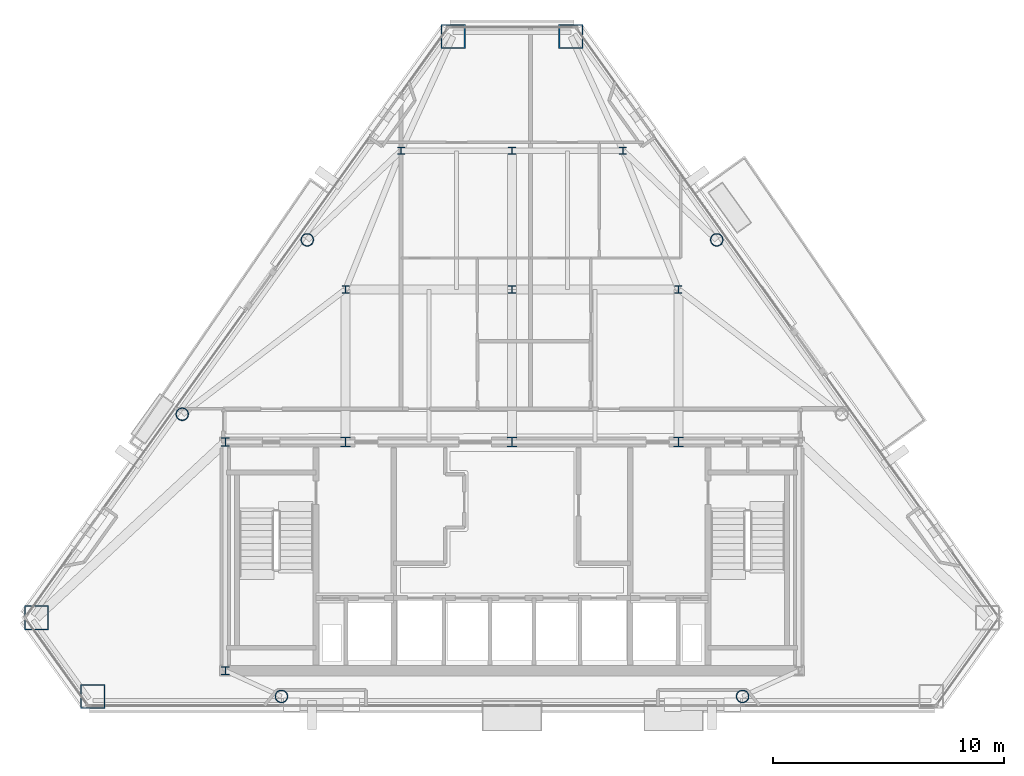
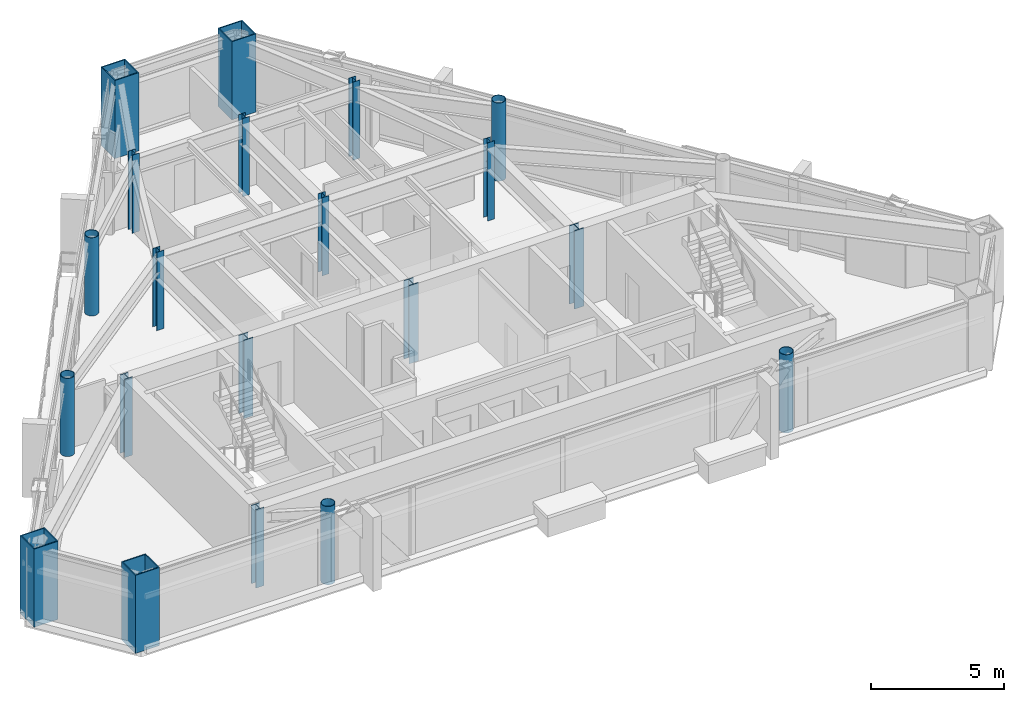
# One storey, part 1 of 11: 20 columns.
"""IFC4 building model written with IfcOpenShell, lengths in metres."""

import ifcopenshell
import ifcopenshell.guid

model = None  # the IFC model being written
_history = None  # IfcOwnerHistory: only IFC2X3 demands one
_inside = {}  # id of a spatial element -> (the spatial element, [elements in it])
_under = {}  # id of a project, library or spatial element -> (it, [spatial elements below it])
_declared = {}  # id of a project -> (the project, [libraries it declares])
_typed = {}  # id of a type object -> (the type object, [elements of that type])
_made_of = {}  # id of a material, layer set ... -> (it, [elements and type objects made of it])


def new_model(schema):
    """Start an empty IFC model of exactly this schema.

    Asked for "IFC4X3", IfcOpenShell would pick the latest addendum, in which some entities
    have other attributes; the version numbers below select the first issue.
    IFC2X3 requires an IfcOwnerHistory on every rooted entity: one is made here for all.
    """
    global model, _history
    if schema == "IFC4X3":
        model = ifcopenshell.file(schema_version=(4, 3, 0, 0))
    else:
        model = ifcopenshell.file(schema=schema)
    _inside.clear()
    _under.clear()
    _declared.clear()
    _typed.clear()
    _made_of.clear()
    _history = None
    if model.schema == "IFC2X3":
        org = make("IfcOrganization", Name="unknown")
        user = make(
            "IfcPersonAndOrganization",
            ThePerson=make("IfcPerson", FamilyName="unknown"),
            TheOrganization=org,
        )
        app = make(
            "IfcApplication",
            ApplicationDeveloper=org,
            Version="unknown",
            ApplicationFullName="unknown",
            ApplicationIdentifier="unknown",
        )
        _history = make(
            "IfcOwnerHistory",
            OwningUser=user,
            OwningApplication=app,
            ChangeAction="ADDED",
            CreationDate=0,
        )
    return model


def make(cls, **values):
    """One entity of the class cls with the attributes given. An attribute that is None is left unset."""
    return model.create_entity(
        cls, **{name: value for name, value in values.items() if value is not None}
    )


def rooted(cls, **values):
    """An entity with a GlobalId (a new one), such as an element, a storey or a relation."""
    return make(cls, GlobalId=ifcopenshell.guid.new(), OwnerHistory=_history, **values)


def si_unit(unit_type, name, prefix=None):
    """IfcSIUnit, for example si_unit("LENGTHUNIT", "METRE", prefix="MILLI")."""
    return make("IfcSIUnit", UnitType=unit_type, Prefix=prefix, Name=name)


def assignment(units):
    """IfcUnitAssignment: the units of a project."""
    return None if units is None else make("IfcUnitAssignment", Units=units)


def point(xyz):
    """IfcCartesianPoint."""
    return None if xyz is None else make("IfcCartesianPoint", Coordinates=xyz)


def direction(xyz):
    """IfcDirection."""
    return None if xyz is None else make("IfcDirection", DirectionRatios=xyz)


def frame(location, z_axis=None, x_axis=None):
    """IfcAxis2Placement3D, a coordinate frame: its origin and axes. An axis left out is left unset."""
    return make(
        "IfcAxis2Placement3D",
        Location=point(location),
        Axis=direction(z_axis),
        RefDirection=direction(x_axis),
    )


def frame_2d(location, x_axis=None):
    """IfcAxis2Placement2D, a coordinate frame in the plane: its origin and x axis."""
    return make(
        "IfcAxis2Placement2D", Location=point(location), RefDirection=direction(x_axis)
    )


def origin():
    """The frame at (0, 0, 0) with its axes left unset."""
    return frame((0.0, 0.0, 0.0))


def origin_2d():
    """The frame at (0, 0) in the plane with its x axis left unset."""
    return frame_2d((0.0, 0.0))


def place(relative_to, where):
    """IfcLocalPlacement: puts the frame where relative to a parent placement (None: the world)."""
    return make(
        "IfcLocalPlacement", PlacementRelTo=relative_to, RelativePlacement=where
    )


def context(
    kind, dimensions, precision=None, world=None, true_north=None, identifier=None
):
    """IfcGeometricRepresentationContext, for example the 3D "Model" context."""
    return make(
        "IfcGeometricRepresentationContext",
        ContextIdentifier=identifier,
        ContextType=kind,
        CoordinateSpaceDimension=dimensions,
        Precision=precision,
        WorldCoordinateSystem=world,
        TrueNorth=true_north,
    )


def subcontext(parent, identifier, kind, view, scale=None):
    """IfcGeometricRepresentationSubContext, for example "Body" below "Model"."""
    return make(
        "IfcGeometricRepresentationSubContext",
        ContextIdentifier=identifier,
        ContextType=kind,
        ParentContext=parent,
        TargetScale=scale,
        TargetView=view,
    )


def project(units=None, contexts=None):
    """IfcProject with its units and contexts."""
    return rooted(
        "IfcProject",
        Name="project",
        RepresentationContexts=contexts,
        UnitsInContext=assignment(units),
    )


def spatial(cls, under=None, at=None, **own):
    """A site, building, storey or space (cls), placed at a placement, below another one or the project."""
    s = rooted(cls, ObjectPlacement=at, **own)
    if under is not None:
        _under.setdefault(under.id(), (under, []))[1].append(s)
    return s


def profile(cls, at=None, kind="AREA", **sizes):
    """A parametric profile (cls). Its sizes go by their IFC names, for example OverallWidth=200.0."""
    return make(cls, ProfileType=kind, Position=at, **sizes)


def hollow_rectangle(**sizes):
    """IfcRectangleHollowProfileDef."""
    return profile("IfcRectangleHollowProfileDef", **sizes)


def hollow_circle(**sizes):
    """IfcCircleHollowProfileDef."""
    return profile("IfcCircleHollowProfileDef", **sizes)


def i_section(**sizes):
    """IfcIShapeProfileDef."""
    return profile("IfcIShapeProfileDef", **sizes)


def extrude(swept, where, along, depth):
    """IfcExtrudedAreaSolid: the profile swept, set in the frame where, extruded along a direction by depth."""
    return make(
        "IfcExtrudedAreaSolid",
        SweptArea=swept,
        Position=where,
        ExtrudedDirection=direction(along),
        Depth=depth,
    )


def shape(context_of_items, identifier, shape_type, items):
    """IfcShapeRepresentation: the items that make up one representation, for example the "Body"."""
    return make(
        "IfcShapeRepresentation",
        ContextOfItems=context_of_items,
        RepresentationIdentifier=identifier,
        RepresentationType=shape_type,
        Items=items,
    )


def material(Name=None, Category=None):
    """IfcMaterial."""
    return make("IfcMaterial", Name=Name, Category=Category)


def material_profile(
    of_material, cross_section, Name=None, Category=None, Priority=None
):
    """IfcMaterialProfile: a cross section and its material."""
    return make(
        "IfcMaterialProfile",
        Name=Name,
        Material=of_material,
        Profile=cross_section,
        Priority=Priority,
        Category=Category,
    )


def profile_set(profiles, Name=None, composite=None):
    """IfcMaterialProfileSet."""
    return make(
        "IfcMaterialProfileSet",
        Name=Name,
        MaterialProfiles=profiles,
        CompositeProfile=composite,
    )


def made_of(thing, what):
    """Note that an element or type object is made of a material, layer set ...; save() writes the relation."""
    if what is not None:
        _made_of.setdefault(what.id(), (what, []))[1].append(thing)
    return thing


def type_object(cls, material=None, **own):
    """A type object (cls), such as IfcWallType, which elements share."""
    return made_of(rooted(cls, **own), material)


def element(
    cls,
    number,
    at=None,
    inside=None,
    cuts=None,
    type_object=None,
    material=None,
    context=None,
    identifier="Body",
    shape_type=None,
    held_by="IfcProductDefinitionShape",
    body=None,
    shapes=None,
    **own,
):
    """One element of the class cls, such as IfcWall. Its Tag is "e" and its number.

    at: its placement. inside: the storey or other place that contains it. cuts: it is an
    opening in that element (IfcRelVoidsElement). A single representation is given by context,
    identifier, shape_type and body (its items); several are given by shapes. held_by: the class
    of the entity that holds the representations. save() writes the other relations.
    """
    e = rooted(cls, Tag="e%d" % number, ObjectPlacement=at, **own)
    if body is not None:
        shapes = [shape(context, identifier, shape_type, body)]
    if shapes is not None:
        e.Representation = make(held_by, Representations=shapes)
    if inside is not None:
        _inside.setdefault(inside.id(), (inside, []))[1].append(e)
    if cuts is not None:
        rooted(
            "IfcRelVoidsElement", RelatingBuildingElement=cuts, RelatedOpeningElement=e
        )
    if type_object is not None:
        _typed.setdefault(type_object.id(), (type_object, []))[1].append(e)
    return made_of(e, material)


def aggregate(whole, parts):
    """IfcRelAggregates: a whole, such as a stair, and the parts it consists of."""
    return rooted("IfcRelAggregates", RelatingObject=whole, RelatedObjects=parts)


def save(model, path):
    """Write the relations noted so far, then the file.

    IfcRelAggregates (storeys below a building ...), IfcRelContainedInSpatialStructure (elements
    in a storey), IfcRelDefinesByType, IfcRelAssociatesMaterial and IfcRelDeclares: one each for
    every whole, place, type object, material and project.
    """
    for whole, parts in _under.values():
        aggregate(whole, parts)
    for where, things in _inside.values():
        rooted(
            "IfcRelContainedInSpatialStructure",
            RelatedElements=things,
            RelatingStructure=where,
        )
    for kind, things in _typed.values():
        rooted("IfcRelDefinesByType", RelatedObjects=things, RelatingType=kind)
    for what, things in _made_of.values():
        rooted("IfcRelAssociatesMaterial", RelatedObjects=things, RelatingMaterial=what)
    for by, libraries in _declared.values():
        rooted("IfcRelDeclares", RelatingContext=by, RelatedDefinitions=libraries)
    model.write(path)


model = new_model("IFC4")

# Units and contexts
model_context = context("Model", 3, precision=1e-05, world=origin(), true_north=direction((0.0, 1.0)))
body_context = subcontext(model_context, "Body", "Model", "MODEL_VIEW")
ifc_project = project(units=[si_unit("LENGTHUNIT", "METRE"), si_unit("AREAUNIT", "SQUARE_METRE"), si_unit("VOLUMEUNIT", "CUBIC_METRE"), si_unit("PLANEANGLEUNIT", "RADIAN"), si_unit("MASSUNIT", "GRAM", prefix="KILO")], contexts=[model_context])

# Site, building, storey
site_placement = place(None, origin())
site = spatial("IfcSite", under=ifc_project, at=site_placement, CompositionType="ELEMENT")
building_placement = place(site_placement, origin())
building = spatial("IfcBuilding", under=site, at=building_placement, Name="Talgorran Terracotta Tower", CompositionType="ELEMENT")
storey_placement = place(building_placement, frame((0.0, 0.0, 233.39990234375)))
storey = spatial("IfcBuildingStorey", under=building, at=storey_placement, Name="L61", CompositionType="ELEMENT", Elevation=233.39990234375)

# Columns
ifc_material_1 = material(Name="Steel S355 (300PLUS)", Category="steel")
ifc_material_profile_1 = material_profile(ifc_material_1, i_section(OverallWidth=0.306884765625, OverallDepth=0.314453125, WebThickness=0.011962890625, FlangeThickness=0.018798828125, at=origin_2d()), Name="310UC118")
ifc_profile_set_1 = profile_set([ifc_material_profile_1], Name="Steel S355 (300PLUS)")
column_type_1 = type_object("IfcColumnType", Name="COL_310UC118", PredefinedType="COLUMN", material=ifc_profile_set_1)
for number, where, z_axis, x_axis, name in (
    (1, (-7.199951171875, 2.39990234375, 0.0), (0.0, 0.0, 1.0), (1.0, 0.0, 0.0), "L61 Interior Gravity Column IC1"),
    (2, (0.0, 2.39990234375, 0.0), (0.0, 0.0, 1.0), (1.0, 0.0, 0.0), "L61 Interior Gravity Column IC2"),
    (3, (7.199951171875, 2.39990234375, 0.0), (0.0, 0.0, 1.0), (1.0, 0.0, 0.0), "L61 Interior Gravity Column IC3"),
    (4, (-4.800048828125, 8.39990234375, 0.0), (0.0, 0.0, 1.0), (1.0, 0.0, 0.0), "L61 Interior Gravity Column IC4"),
    (5, (0.0, 8.39990234375, 0.0), (0.0, 0.0, 1.0), (1.0, 0.0, 0.0), "L61 Interior Gravity Column IC5"),
    (6, (4.800048828125, 8.39990234375, 0.0), (0.0, 0.0, 1.0), (1.0, 0.0, 0.0), "L61 Interior Gravity Column IC6"),
):
    element("IfcColumn", number, at=place(storey_placement, frame(where, z_axis=z_axis, x_axis=x_axis)), inside=storey, type_object=column_type_1, Name=name, PredefinedType="COLUMN", context=body_context, shape_type="SweptSolid", body=[
        extrude(i_section(OverallWidth=0.306884765625, OverallDepth=0.314453125, WebThickness=0.011962890625, FlangeThickness=0.018798828125, at=origin_2d()), origin(), (0.0, 0.0, 1.0), 3.60009765625),
    ])
ifc_material_profile_2 = material_profile(ifc_material_1, i_section(OverallWidth=0.35205078125, OverallDepth=0.35888671875, WebThickness=0.01806640625, FlangeThickness=0.02587890625, at=origin_2d()), Name="350WC197")
ifc_profile_set_2 = profile_set([ifc_material_profile_2], Name="Steel S355 (300PLUS)")
column_type_2 = type_object("IfcColumnType", Name="COL_350WC197", PredefinedType="COLUMN", material=ifc_profile_set_2)
for number, where, z_axis, x_axis, name in (
    (7, (-12.39990234375, -14.10009765625, 0.0), (0.0, 0.0, 1.0), (1.0, 0.0, 0.0), "L61 Core Boundary Column CC1"),
    (8, (-12.39990234375, -4.199951171875, 0.0), (0.0, 0.0, 1.0), (1.0, 0.0, 0.0), "L61 Core Boundary Column CC4"),
):
    element("IfcColumn", number, at=place(storey_placement, frame(where, z_axis=z_axis, x_axis=x_axis)), inside=storey, type_object=column_type_2, Name=name, PredefinedType="COLUMN", context=body_context, shape_type="SweptSolid", body=[
        extrude(i_section(OverallWidth=0.35205078125, OverallDepth=0.35888671875, WebThickness=0.01806640625, FlangeThickness=0.02587890625, at=origin_2d()), origin(), (0.0, 0.0, 1.0), 3.60009765625),
    ])
ifc_material_2 = material(Name="Steel Grade 350 (350L0)", Category="steel")
ifc_material_profile_3 = material_profile(ifc_material_2, hollow_rectangle(XDim=1.050048828125, YDim=1.050048828125, WallThickness=0.044921875, at=origin_2d()), Name="CFT1050X1050X45")
ifc_profile_set_3 = profile_set([ifc_material_profile_3], Name="Steel Grade 350 (350L0)")
column_type_3 = type_object("IfcColumnType", Name="COL_CFT_1050", PredefinedType="COLUMN", material=ifc_profile_set_3)
for number, where, z_axis, x_axis, name in (
    (9, (-20.5791015625, -11.802001953125, 0.0), (0.0, 0.0, 1.0), (1.0, 0.0, 0.0), "L61 Corner CFT Mega-Column MC1"),
    (10, (-18.13720703125, -15.207763671875, 0.0), (0.0, 0.0, 1.0), (1.0, 0.0, 0.0), "L61 Corner CFT Mega-Column MC2"),
    (11, (2.547607421875, 13.3486328125, 0.0), (0.0, 0.0, 1.0), (1.0, 0.0, 0.0), "L61 Corner CFT Mega-Column MC5"),
    (12, (-2.547607421875, 13.3486328125, 0.0), (0.0, 0.0, 1.0), (1.0, 0.0, 0.0), "L61 Corner CFT Mega-Column MC6"),
):
    element("IfcColumn", number, at=place(storey_placement, frame(where, z_axis=z_axis, x_axis=x_axis)), inside=storey, type_object=column_type_3, Name=name, PredefinedType="COLUMN", context=body_context, shape_type="SweptSolid", body=[
        extrude(hollow_rectangle(XDim=1.050048828125, YDim=1.050048828125, WallThickness=0.044921875, at=origin_2d()), origin(), (0.0, 0.0, 1.0), 3.60009765625),
    ])
ifc_material_profile_4 = material_profile(ifc_material_2, hollow_circle(Radius=0.27490234375, WallThickness=0.02392578125, at=origin_2d()), Name="CHS550X24")
ifc_profile_set_4 = profile_set([ifc_material_profile_4], Name="Steel Grade 350 (350L0)")
column_type_4 = type_object("IfcColumnType", Name="COL_CHS_550", PredefinedType="COLUMN", material=ifc_profile_set_4)
for number, where, z_axis, x_axis, name in (
    (13, (-9.9755859375, -15.207763671875, 0.0), (0.0, 0.0, 1.0), (1.0, 0.0, 0.0), "L61 Facet Perimeter Column FC1"),
    (14, (9.9755859375, -15.207763671875, 0.0), (0.0, 0.0, 1.0), (1.0, 0.0, 0.0), "L61 Facet Perimeter Column FC2"),
    (15, (8.8583984375, 4.5458984375, 0.0), (0.0, 0.0, 1.0), (1.0, 0.0, 0.0), "L61 Facet Perimeter Column FC4"),
    (16, (-8.8583984375, 4.5458984375, 0.0), (0.0, 0.0, 1.0), (1.0, 0.0, 0.0), "L61 Facet Perimeter Column FC5"),
    (17, (-14.26806640625, -2.999267578125, 0.0), (0.0, 0.0, 1.0), (1.0, 0.0, 0.0), "L61 Facet Perimeter Column FC6"),
):
    element("IfcColumn", number, at=place(storey_placement, frame(where, z_axis=z_axis, x_axis=x_axis)), inside=storey, type_object=column_type_4, Name=name, PredefinedType="COLUMN", context=body_context, shape_type="SweptSolid", body=[
        extrude(hollow_circle(Radius=0.27490234375, WallThickness=0.02392578125, at=origin_2d()), origin(), (0.0, 0.0, 1.0), 3.60009765625),
    ])
ifc_material_profile_5 = material_profile(ifc_material_1, i_section(OverallWidth=0.405029296875, OverallDepth=0.4140625, WebThickness=0.02197265625, FlangeThickness=0.031982421875, at=origin_2d()), Name="400WC270")
ifc_profile_set_5 = profile_set([ifc_material_profile_5], Name="Steel S355 (300PLUS)")
column_type_5 = type_object("IfcColumnType", Name="COL_PIL_400WC270", PredefinedType="PILASTER", material=ifc_profile_set_5)
for number, where, z_axis, x_axis, name in (
    (18, (-7.199951171875, -4.199951171875, 0.0), (0.0, 0.0, 1.0), (1.0, 0.0, 0.0), "L61 Core Shear Pilaster CP1"),
    (19, (0.0, -4.199951171875, 0.0), (0.0, 0.0, 1.0), (1.0, 0.0, 0.0), "L61 Core Shear Pilaster CP2"),
    (20, (7.199951171875, -4.199951171875, 0.0), (0.0, 0.0, 1.0), (1.0, 0.0, 0.0), "L61 Core Shear Pilaster CP3"),
):
    element("IfcColumn", number, at=place(storey_placement, frame(where, z_axis=z_axis, x_axis=x_axis)), inside=storey, type_object=column_type_5, Name=name, PredefinedType="PILASTER", context=body_context, shape_type="SweptSolid", body=[
        extrude(i_section(OverallWidth=0.405029296875, OverallDepth=0.4140625, WebThickness=0.02197265625, FlangeThickness=0.031982421875, at=origin_2d()), origin(), (0.0, 0.0, 1.0), 3.60009765625),
    ])

save(model, "model.ifc")
